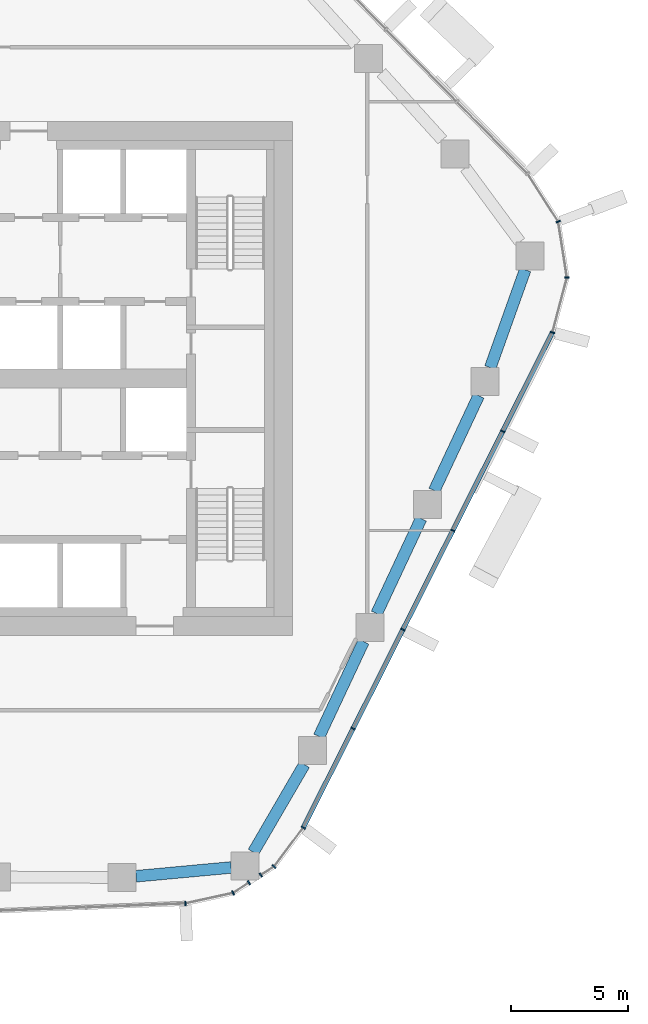
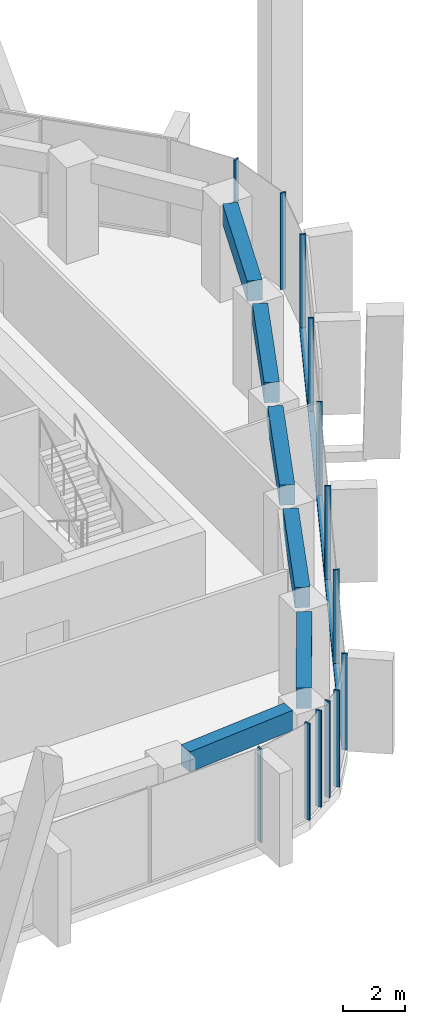
# One storey, part 4 of 19: 14 members, 6 beams, 5 elements without a shape of their own.
"""IFC4 building model written with IfcOpenShell, lengths in metres."""

from ifc_helpers import new_model, si_unit, direction, frame, origin, origin_2d, place, context, subcontext, project, spatial, rectangle, extrude, material, layer, layer_set, material_profile, profile_set, type_object, element, aggregate, save


model = new_model("IFC4")

# Units and contexts
model_context = context("Model", 3, precision=1e-05, world=origin(), true_north=direction((0.0, 1.0)))
body_context = subcontext(model_context, "Body", "Model", "MODEL_VIEW")
ifc_project = project(units=[si_unit("LENGTHUNIT", "METRE"), si_unit("AREAUNIT", "SQUARE_METRE"), si_unit("VOLUMEUNIT", "CUBIC_METRE"), si_unit("PLANEANGLEUNIT", "RADIAN"), si_unit("MASSUNIT", "GRAM", prefix="KILO")], contexts=[model_context])

# Site, building, storey
site_placement = place(None, origin())
site = spatial("IfcSite", under=ifc_project, at=site_placement, CompositionType="ELEMENT")
building_placement = place(site_placement, origin())
building = spatial("IfcBuilding", under=site, at=building_placement, Name="Dongbaek Canopy Tower", CompositionType="ELEMENT")
storey_placement = place(building_placement, frame((0.0, 0.0, 198.800048828125)))
storey = spatial("IfcBuildingStorey", under=building, at=storey_placement, Name="L41", CompositionType="ELEMENT", Elevation=198.800048828125)

# Curtain wall, members
ifc_material_1 = material(Name="Aluminium 6063-T6 pale anodised", Category="aluminium")
ifc_layer = layer(ifc_material_1, 0.199951171875)
ifc_layer_set = layer_set([ifc_layer], Name="CW-1 unitised tower curtain wall")
curtain_wall_type = type_object("IfcCurtainWallType", Name="CW-1 unitised tower curtain wall", PredefinedType="NOTDEFINED", material=ifc_layer_set)
curtain_wall_1_placement = place(storey_placement, origin())
curtain_wall_1 = element("IfcCurtainWall", 1, at=curtain_wall_1_placement, inside=storey, type_object=curtain_wall_type, Name="CW-1 curtain wall K0.1", PredefinedType="NOTDEFINED")
ifc_material_2 = material(Name="Aluminium 6063-T6 pale anodised", Category="aluminium")
ifc_material_profile_1 = material_profile(ifc_material_2, rectangle(XDim=0.199951171875, YDim=0.06005859375, at=origin_2d()), Name="CW-1 mullion 60 x 200")
ifc_profile_set_1 = profile_set([ifc_material_profile_1], Name="Aluminium 6063-T6 pale anodised")
member_type_1 = type_object("IfcMemberType", Name="CW-1 mullion 60 x 200", PredefinedType="MULLION", material=ifc_profile_set_1)
member_1_placement = place(storey_placement, frame((25.131591796875, 1.972900390625, 0.0), z_axis=(0.0, 0.0, 1.0), x_axis=(0.966599210412, -0.256292735815, 0.0)))
member_1 = element("IfcMember", 2, at=member_1_placement, type_object=member_type_1, Name="CW-1 mullion K0.1.1", PredefinedType="MULLION", context=body_context, shape_type="SweptSolid", body=[
    extrude(rectangle(XDim=0.199951171875, YDim=0.06005859375, at=origin_2d()), origin(), (0.0, 0.0, 1.0), 3.820068359375),
])
member_2_placement = place(storey_placement, frame((25.755615234375, 4.32666015625, 0.0), z_axis=(0.0, 0.0, 1.0), x_axis=(0.99863969186, -0.052141785952, 0.0)))
member_2 = element("IfcMember", 3, at=member_2_placement, type_object=member_type_1, Name="CW-1 mullion K0.1.2", PredefinedType="MULLION", context=body_context, shape_type="SweptSolid", body=[
    extrude(rectangle(XDim=0.199951171875, YDim=0.06005859375, at=origin_2d()), origin(), (0.0, 0.0, 1.0), 3.820068359375),
])
member_3_placement = place(storey_placement, frame((25.3818359375, 6.72216796875, 0.0), z_axis=(0.0, 0.0, 1.0), x_axis=(0.93523522403, 0.354026942101, 0.0)))
member_3 = element("IfcMember", 4, at=member_3_placement, type_object=member_type_1, Name="CW-1 mullion K0.1.3", PredefinedType="MULLION", context=body_context, shape_type="SweptSolid", body=[
    extrude(rectangle(XDim=0.199951171875, YDim=0.06005859375, at=origin_2d()), origin(), (0.0, 0.0, 1.0), 3.820068359375),
])
aggregate(curtain_wall_1, [member_1, member_2, member_3])

# Curtain wall, member
curtain_wall_2_placement = place(storey_placement, origin())
curtain_wall_2 = element("IfcCurtainWall", 5, at=curtain_wall_2_placement, inside=storey, type_object=curtain_wall_type, Name="CW-1 curtain wall F4.1", PredefinedType="NOTDEFINED")
member_4_placement = place(storey_placement, frame((9.410400390625, -22.482421875, 0.119873046875), z_axis=(0.0, 0.0, 1.0), x_axis=(0.039275850271, -0.999228406114, 0.0)))
member_4 = element("IfcMember", 6, at=member_4_placement, type_object=member_type_1, Name="CW-1 mullion F4.1.5", PredefinedType="MULLION", context=body_context, shape_type="SweptSolid", body=[
    extrude(rectangle(XDim=0.199951171875, YDim=0.06005859375, at=origin_2d()), origin(), (0.0, 0.0, 1.0), 3.7001953125),
])
aggregate(curtain_wall_2, [member_4])

# Curtain wall, members
curtain_wall_3_placement = place(storey_placement, origin())
curtain_wall_3 = element("IfcCurtainWall", 7, at=curtain_wall_3_placement, inside=storey, type_object=curtain_wall_type, Name="CW-1 curtain wall K5.1a", PredefinedType="NOTDEFINED")
member_5_placement = place(storey_placement, frame((11.4541015625, -22.0322265625, 0.0), z_axis=(0.0, 0.0, 1.0), x_axis=(0.384243222296, -0.923231902677, 0.0)))
member_5 = element("IfcMember", 8, at=member_5_placement, type_object=member_type_1, Name="CW-1 mullion K5.1a.2", PredefinedType="MULLION", context=body_context, shape_type="SweptSolid", body=[
    extrude(rectangle(XDim=0.199951171875, YDim=0.06005859375, at=origin_2d()), origin(), (0.0, 0.0, 1.0), 3.820068359375),
])
member_6_placement = place(storey_placement, frame((12.13427734375, -21.59423828125, 0.0), z_axis=(0.0, 0.0, 1.0), x_axis=(0.541263470039, -0.840853052561, 0.0)))
member_6 = element("IfcMember", 9, at=member_6_placement, type_object=member_type_1, Name="CW-1 mullion K5.1a.3", PredefinedType="MULLION", context=body_context, shape_type="SweptSolid", body=[
    extrude(rectangle(XDim=0.199951171875, YDim=0.06005859375, at=origin_2d()), origin(), (0.0, 0.0, 1.0), 3.820068359375),
])
aggregate(curtain_wall_3, [member_5, member_6])

curtain_wall_4_placement = place(storey_placement, origin())
curtain_wall_4 = element("IfcCurtainWall", 10, at=curtain_wall_4_placement, inside=storey, type_object=curtain_wall_type, Name="CW-1 curtain wall K5.1b", PredefinedType="NOTDEFINED")
member_7_placement = place(storey_placement, frame((12.642333984375, -21.267333984375, 0.0), z_axis=(0.0, 0.0, 1.0), x_axis=(0.541263470039, -0.840853052561, 0.0)))
member_7 = element("IfcMember", 11, at=member_7_placement, type_object=member_type_1, Name="CW-1 mullion K5.1b.1", PredefinedType="MULLION", context=body_context, shape_type="SweptSolid", body=[
    extrude(rectangle(XDim=0.199951171875, YDim=0.06005859375, at=origin_2d()), origin(), (0.0, 0.0, 1.0), 3.820068359375),
])
member_8_placement = place(storey_placement, frame((13.2060546875, -20.904541015625, 0.0), z_axis=(0.0, 0.0, 1.0), x_axis=(0.681265510321, -0.732036409236, 0.0)))
member_8 = element("IfcMember", 12, at=member_8_placement, type_object=member_type_1, Name="CW-1 mullion K5.1b.2", PredefinedType="MULLION", context=body_context, shape_type="SweptSolid", body=[
    extrude(rectangle(XDim=0.199951171875, YDim=0.06005859375, at=origin_2d()), origin(), (0.0, 0.0, 1.0), 3.820068359375),
])
member_9_placement = place(storey_placement, frame((14.4619140625, -19.230712890625, 0.0), z_axis=(0.0, 0.0, 1.0), x_axis=(0.799847450352, -0.60020334568, 0.0)))
member_9 = element("IfcMember", 13, at=member_9_placement, type_object=member_type_1, Name="CW-1 mullion K5.1b.3", PredefinedType="MULLION", context=body_context, shape_type="SweptSolid", body=[
    extrude(rectangle(XDim=0.199951171875, YDim=0.06005859375, at=origin_2d()), origin(), (0.0, 0.0, 1.0), 3.820068359375),
])
aggregate(curtain_wall_4, [member_7, member_8, member_9])

curtain_wall_5_placement = place(storey_placement, origin())
curtain_wall_5 = element("IfcCurtainWall", 14, at=curtain_wall_5_placement, inside=storey, type_object=curtain_wall_type, Name="CW-1 curtain wall F5.1", PredefinedType="NOTDEFINED")
member_10_placement = place(storey_placement, frame((16.59375, -14.994384765625, 0.119873046875), z_axis=(0.0, 0.0, 1.0), x_axis=(0.893280880274, -0.449498908716, 0.0)))
member_10 = element("IfcMember", 15, at=member_10_placement, type_object=member_type_1, Name="CW-1 mullion F5.1.2", PredefinedType="MULLION", context=body_context, shape_type="SweptSolid", body=[
    extrude(rectangle(XDim=0.199951171875, YDim=0.06005859375, at=origin_2d()), origin(), (0.0, 0.0, 1.0), 3.7001953125),
])
member_11_placement = place(storey_placement, frame((18.729248046875, -10.750244140625, 0.119873046875), z_axis=(0.0, 0.0, 1.0), x_axis=(0.893280880274, -0.449498908716, 0.0)))
member_11 = element("IfcMember", 16, at=member_11_placement, type_object=member_type_1, Name="CW-1 mullion F5.1.3", PredefinedType="MULLION", context=body_context, shape_type="SweptSolid", body=[
    extrude(rectangle(XDim=0.199951171875, YDim=0.06005859375, at=origin_2d()), origin(), (0.0, 0.0, 1.0), 3.7001953125),
])
member_12_placement = place(storey_placement, frame((20.864990234375, -6.506103515625, 0.119873046875), z_axis=(0.0, 0.0, 1.0), x_axis=(0.893280880274, -0.449498908716, 0.0)))
member_12 = element("IfcMember", 17, at=member_12_placement, type_object=member_type_1, Name="CW-1 mullion F5.1.4", PredefinedType="MULLION", context=body_context, shape_type="SweptSolid", body=[
    extrude(rectangle(XDim=0.199951171875, YDim=0.06005859375, at=origin_2d()), origin(), (0.0, 0.0, 1.0), 3.7001953125),
])
member_13_placement = place(storey_placement, frame((23.000732421875, -2.261962890625, 0.119873046875), z_axis=(0.0, 0.0, 1.0), x_axis=(0.893280880274, -0.449498908716, 0.0)))
member_13 = element("IfcMember", 18, at=member_13_placement, type_object=member_type_1, Name="CW-1 mullion F5.1.5", PredefinedType="MULLION", context=body_context, shape_type="SweptSolid", body=[
    extrude(rectangle(XDim=0.199951171875, YDim=0.06005859375, at=origin_2d()), origin(), (0.0, 0.0, 1.0), 3.7001953125),
])
ifc_material_3 = material(Name="Aluminium 6063-T6 pale anodised", Category="aluminium")
ifc_material_profile_2 = material_profile(ifc_material_3, rectangle(XDim=0.199951171875, YDim=0.1201171875, at=origin_2d()), Name="CW-1 transom 120 x 200")
ifc_profile_set_2 = profile_set([ifc_material_profile_2], Name="Aluminium 6063-T6 pale anodised")
member_type_2 = type_object("IfcMemberType", Name="CW-1 transom 120 x 200", PredefinedType="USERDEFINED", material=ifc_profile_set_2)
member_14_placement = place(storey_placement, frame((14.4619140625, -19.230712890625, 0.06005859375), z_axis=(0.449499589419, 0.893280537744, 0.0), x_axis=(-0.893280537744, 0.449499589419, 0.0)))
member_14 = element("IfcMember", 19, at=member_14_placement, type_object=member_type_2, Name="CW-1 transom F5.1.1", ObjectType="TRANSOM", PredefinedType="USERDEFINED", context=body_context, shape_type="SweptSolid", body=[
    extrude(rectangle(XDim=0.199951171875, YDim=0.1201171875, at=origin_2d()), origin(), (0.0, 0.0, 1.0), 23.73681640625),
])
aggregate(curtain_wall_5, [member_10, member_11, member_12, member_13, member_14])

# Beams
ifc_material_4 = material(Name="Concrete C70", Category="concrete")
ifc_material_profile_3 = material_profile(ifc_material_4, rectangle(XDim=0.5, YDim=0.800048828125, at=origin_2d()), Name="RC EDGE BEAM 500x800 C70")
ifc_profile_set_3 = profile_set([ifc_material_profile_3], Name="Concrete C70")
beam_type = type_object("IfcBeamType", Name="RC EDGE BEAM 500x800 C70", PredefinedType="BEAM", material=ifc_profile_set_3)
beam_1_placement = place(storey_placement, frame((11.3720703125, -20.9404296875, 3.419921875), z_axis=(-0.995763065099, -0.091956066598, 0.0), x_axis=(0.091956066598, -0.995763065099, 0.0)))
element("IfcBeam", 20, at=beam_1_placement, inside=storey, type_object=beam_type, Name="EDGEBEAM:L41:00", PredefinedType="BEAM", context=body_context, shape_type="SweptSolid", body=[
    extrude(rectangle(XDim=0.5, YDim=0.800048828125, at=origin_2d()), origin(), (0.0, 0.0, 1.0), 4.09130859375),
])
beam_2_placement = place(storey_placement, frame((23.965576171875, 4.656982421875, 3.419921875), z_axis=(-0.336398951073, -0.941719568511, 0.0), x_axis=(0.941719568511, -0.336398951073, 0.0)))
element("IfcBeam", 21, at=beam_2_placement, inside=storey, type_object=beam_type, Name="EDGEBEAM:L41:21", PredefinedType="BEAM", context=body_context, shape_type="SweptSolid", body=[
    extrude(rectangle(XDim=0.5, YDim=0.800048828125, at=origin_2d()), origin(), (0.0, 0.0, 1.0), 4.4501953125),
])
beam_3_placement = place(storey_placement, frame((21.972900390625, -0.73388671875, 3.419921875), z_axis=(-0.424114752544, -0.905608456605, 0.0), x_axis=(0.905608456605, -0.424114752544, 0.0)))
element("IfcBeam", 22, at=beam_3_placement, inside=storey, type_object=beam_type, Name="EDGEBEAM:L41:22", PredefinedType="BEAM", context=body_context, shape_type="SweptSolid", body=[
    extrude(rectangle(XDim=0.5, YDim=0.800048828125, at=origin_2d()), origin(), (0.0, 0.0, 1.0), 4.489013671875),
])
beam_4_placement = place(storey_placement, frame((19.507080078125, -5.9990234375, 3.419921875), z_axis=(-0.424057758342, -0.905635145956, 0.0), x_axis=(0.905635145956, -0.424057758342, 0.0)))
element("IfcBeam", 23, at=beam_4_placement, inside=storey, type_object=beam_type, Name="EDGEBEAM:L41:23", PredefinedType="BEAM", context=body_context, shape_type="SweptSolid", body=[
    extrude(rectangle(XDim=0.5, YDim=0.800048828125, at=origin_2d()), origin(), (0.0, 0.0, 1.0), 4.49072265625),
])
beam_5_placement = place(storey_placement, frame((17.041015625, -11.26611328125, 3.419921875), z_axis=(-0.424275059541, -0.905533364295, 0.0), x_axis=(0.905533364295, -0.424275059541, 0.0)))
element("IfcBeam", 24, at=beam_5_placement, inside=storey, type_object=beam_type, Name="EDGEBEAM:L41:24", PredefinedType="BEAM", context=body_context, shape_type="SweptSolid", body=[
    extrude(rectangle(XDim=0.5, YDim=0.800048828125, at=origin_2d()), origin(), (0.0, 0.0, 1.0), 4.489990234375),
])
beam_6_placement = place(storey_placement, frame((14.505859375, -16.531982421875, 3.419921875), z_axis=(-0.503073799677, -0.864243456486, 0.0), x_axis=(0.864243456486, -0.503073799677, 0.0)))
element("IfcBeam", 25, at=beam_6_placement, inside=storey, type_object=beam_type, Name="EDGEBEAM:L41:25", PredefinedType="BEAM", context=body_context, shape_type="SweptSolid", body=[
    extrude(rectangle(XDim=0.5, YDim=0.800048828125, at=origin_2d()), origin(), (0.0, 0.0, 1.0), 4.342529296875),
])

save(model, "model.ifc")
